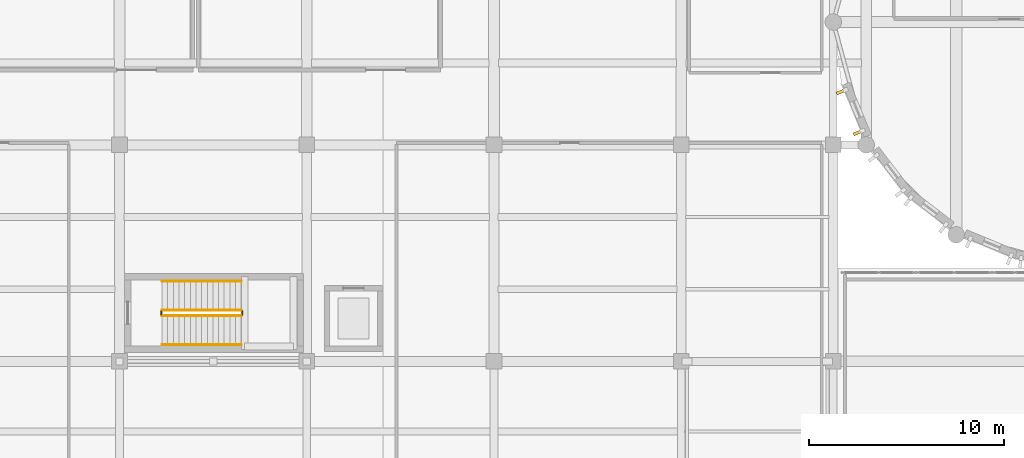
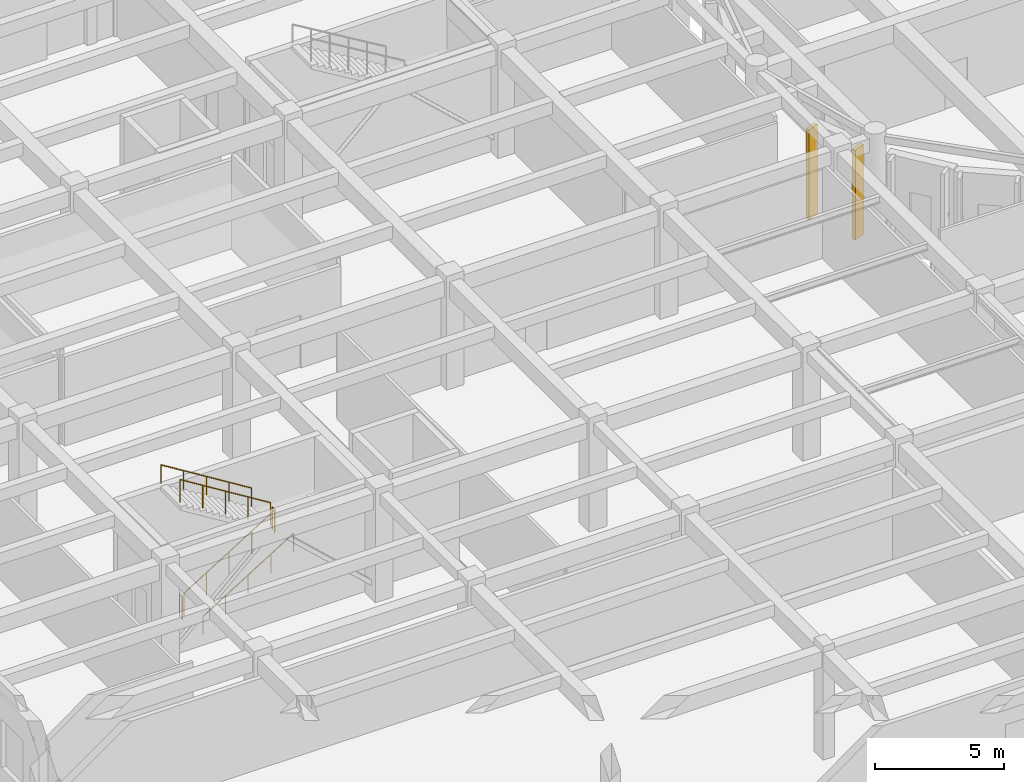
# One storey, part 88 of 98: 6 railings, 2 coverings.
"""IFC4 building model written with IfcOpenShell, lengths in metres."""

from ifc_helpers import new_model, si_unit, direction, frame, origin, origin_2d, place, context, subcontext, project, spatial, rectangle, circle, extrude, material, layer, layer_set, type_object, element, save


model = new_model("IFC4")

# Units and contexts
model_context = context("Model", 3, precision=1e-05, world=origin(), true_north=direction((0.0, 1.0)))
body_context = subcontext(model_context, "Body", "Model", "MODEL_VIEW")
ifc_project = project(units=[si_unit("LENGTHUNIT", "METRE"), si_unit("AREAUNIT", "SQUARE_METRE"), si_unit("VOLUMEUNIT", "CUBIC_METRE"), si_unit("PLANEANGLEUNIT", "RADIAN"), si_unit("MASSUNIT", "GRAM", prefix="KILO")], contexts=[model_context])

# Site, building, storey
site_placement = place(None, origin())
site = spatial("IfcSite", under=ifc_project, at=site_placement, CompositionType="ELEMENT")
building_placement = place(site_placement, origin())
building = spatial("IfcBuilding", under=site, at=building_placement, Name="Tarnavel Promenade Courthouse", CompositionType="ELEMENT")
storey_placement = place(building_placement, origin())
storey = spatial("IfcBuildingStorey", under=building, at=storey_placement, Name="L01", CompositionType="ELEMENT", Elevation=0.0)

# Railings
ifc_material_1 = material(Name="Brushed Bronze Tubular Stair Handrail")
railing_type_1 = type_object("IfcRailingType", Name="Brushed Bronze Tubular Stair Handrail (RL-HND-0900)", PredefinedType="HANDRAIL", material=ifc_material_1)
railing_1_placement = place(storey_placement, frame((11.780029296875, 75.25, 0.179931640625)))
element("IfcRailing", 1, at=railing_1_placement, inside=storey, type_object=railing_type_1, Name="L01 ST-04 stair handrail 1", PredefinedType="HANDRAIL", context=body_context, shape_type="SweptSolid", body=[
    extrude(circle(Radius=0.02392578125, at=origin_2d()), frame((0.0, 0.0, 0.8759765625), z_axis=(0.849641744969, 0.0, 0.527360318194), x_axis=(0.0, 1.0, 0.0)), (0.0, 0.0, 1.0), 4.778564453125),
    extrude(circle(Radius=0.02099609375, at=origin_2d()), origin(), (0.0, 0.0, 1.0), 0.851806640625),
    extrude(circle(Radius=0.02099609375, at=origin_2d()), frame((1.01513671875, 0.0, 0.6298828125)), (0.0, 0.0, 1.0), 0.851806640625),
    extrude(circle(Radius=0.02099609375, at=origin_2d()), frame((2.030029296875, 0.0, 1.260009765625)), (0.0, 0.0, 1.0), 0.851806640625),
    extrude(circle(Radius=0.02099609375, at=origin_2d()), frame((3.044921875, 0.0, 1.89013671875)), (0.0, 0.0, 1.0), 0.851806640625),
    extrude(circle(Radius=0.02099609375, at=origin_2d()), frame((4.06005859375, 0.0, 2.52001953125)), (0.0, 0.0, 1.0), 0.851806640625),
])
railing_2_placement = place(storey_placement, frame((15.840087890625, 78.510009765625, 2.8798828125)))
element("IfcRailing", 2, at=railing_2_placement, inside=storey, type_object=railing_type_1, Name="L01 ST-04 stair handrail 2", PredefinedType="HANDRAIL", context=body_context, shape_type="SweptSolid", body=[
    extrude(circle(Radius=0.02392578125, at=origin_2d()), frame((0.0, 0.0, 0.8759765625), z_axis=(-0.849641744969, 0.0, 0.527360318194), x_axis=(0.0, -1.0, 0.0)), (0.0, 0.0, 1.0), 4.778564453125),
    extrude(circle(Radius=0.02099609375, at=origin_2d()), origin(), (0.0, 0.0, 1.0), 0.851806640625),
    extrude(circle(Radius=0.02099609375, at=origin_2d()), frame((-1.01513671875, 0.0, 0.6298828125)), (0.0, 0.0, 1.0), 0.851806640625),
    extrude(circle(Radius=0.02099609375, at=origin_2d()), frame((-2.030029296875, 0.0, 1.260009765625)), (0.0, 0.0, 1.0), 0.851806640625),
    extrude(circle(Radius=0.02099609375, at=origin_2d()), frame((-3.044921875, 0.0, 1.89013671875)), (0.0, 0.0, 1.0), 0.851806640625),
    extrude(circle(Radius=0.02099609375, at=origin_2d()), frame((-4.06005859375, 0.0, 2.52001953125)), (0.0, 0.0, 1.0), 0.851806640625),
])
ifc_material_2 = material(Name="Painted Architectural Steel Core Stair Guardrail", Category="steel")
railing_type_2 = type_object("IfcRailingType", Name="Painted Architectural Steel Core Stair Guardrail (RL-GRD-1100)", PredefinedType="GUARDRAIL", material=ifc_material_2)
railing_3_placement = place(storey_placement, frame((11.780029296875, 76.72998046875, 0.179931640625)))
element("IfcRailing", 3, at=railing_3_placement, inside=storey, type_object=railing_type_2, Name="L01 ST-04 stair guard 1", PredefinedType="GUARDRAIL", context=body_context, shape_type="SweptSolid", body=[
    extrude(circle(Radius=0.02392578125, at=origin_2d()), frame((0.0, 0.0, 1.076171875), z_axis=(0.849641744969, 0.0, 0.527360318194), x_axis=(0.0, 1.0, 0.0)), (0.0, 0.0, 1.0), 4.778564453125),
    extrude(circle(Radius=0.02099609375, at=origin_2d()), origin(), (0.0, 0.0, 1.0), 1.052001953125),
    extrude(circle(Radius=0.02099609375, at=origin_2d()), frame((1.01513671875, 0.0, 0.6298828125)), (0.0, 0.0, 1.0), 1.052001953125),
    extrude(circle(Radius=0.02099609375, at=origin_2d()), frame((2.030029296875, 0.0, 1.260009765625)), (0.0, 0.0, 1.0), 1.052001953125),
    extrude(circle(Radius=0.02099609375, at=origin_2d()), frame((3.044921875, 0.0, 1.89013671875)), (0.0, 0.0, 1.0), 1.052001953125),
    extrude(circle(Radius=0.02099609375, at=origin_2d()), frame((4.06005859375, 0.0, 2.52001953125)), (0.0, 0.0, 1.0), 1.052001953125),
])
railing_4_placement = place(storey_placement, frame((15.889892578125, 76.780029296875, 2.699951171875)))
element("IfcRailing", 4, at=railing_4_placement, inside=storey, type_object=railing_type_2, Name="L01 ST-04 stair guard 2", PredefinedType="GUARDRAIL", context=body_context, shape_type="SweptSolid", body=[
    extrude(circle(Radius=0.02392578125, at=origin_2d()), frame((0.0, 0.0, 1.076171875), z_axis=(0.0, 1.0, 0.0), x_axis=(-1.0, 0.0, 0.0)), (0.0, 0.0, 1.0), 0.199951171875),
    extrude(circle(Radius=0.02099609375, at=origin_2d()), origin(), (0.0, 0.0, 1.0), 1.052001953125),
    extrude(circle(Radius=0.02099609375, at=origin_2d()), frame((0.0, 0.199951171875, 0.0)), (0.0, 0.0, 1.0), 1.052001953125),
])
railing_5_placement = place(storey_placement, frame((15.840087890625, 77.030029296875, 2.8798828125)))
element("IfcRailing", 5, at=railing_5_placement, inside=storey, type_object=railing_type_2, Name="L01 ST-04 stair guard 3", PredefinedType="GUARDRAIL", context=body_context, shape_type="SweptSolid", body=[
    extrude(circle(Radius=0.02392578125, at=origin_2d()), frame((0.0, 0.0, 1.076171875), z_axis=(-0.849641744969, 0.0, 0.527360318194), x_axis=(0.0, -1.0, 0.0)), (0.0, 0.0, 1.0), 4.778564453125),
    extrude(circle(Radius=0.02099609375, at=origin_2d()), origin(), (0.0, 0.0, 1.0), 1.052001953125),
    extrude(circle(Radius=0.02099609375, at=origin_2d()), frame((-1.01513671875, 0.0, 0.6298828125)), (0.0, 0.0, 1.0), 1.052001953125),
    extrude(circle(Radius=0.02099609375, at=origin_2d()), frame((-2.030029296875, 0.0, 1.260009765625)), (0.0, 0.0, 1.0), 1.052001953125),
    extrude(circle(Radius=0.02099609375, at=origin_2d()), frame((-3.044921875, 0.0, 1.89013671875)), (0.0, 0.0, 1.0), 1.052001953125),
    extrude(circle(Radius=0.02099609375, at=origin_2d()), frame((-4.06005859375, 0.0, 2.52001953125)), (0.0, 0.0, 1.0), 1.052001953125),
])
railing_6_placement = place(storey_placement, frame((11.72998046875, 76.780029296875, 0.0)))
element("IfcRailing", 6, at=railing_6_placement, inside=storey, type_object=railing_type_2, Name="L01 ST-04 stair guard 4", PredefinedType="GUARDRAIL", context=body_context, shape_type="SweptSolid", body=[
    extrude(circle(Radius=0.02392578125, at=origin_2d()), frame((0.0, 0.0, 1.076171875), z_axis=(0.0, 1.0, 0.0), x_axis=(-1.0, 0.0, 0.0)), (0.0, 0.0, 1.0), 0.199951171875),
    extrude(circle(Radius=0.02099609375, at=origin_2d()), origin(), (0.0, 0.0, 1.0), 1.052001953125),
    extrude(circle(Radius=0.02099609375, at=origin_2d()), frame((0.0, 0.199951171875, 0.0)), (0.0, 0.0, 1.0), 1.052001953125),
])

# Coverings
ifc_material_3 = material(Name="Patinated Copper-Bronze Fluted Pier Cladding")
ifc_layer = layer(ifc_material_3, 0.52001953125)
ifc_layer_set = layer_set([ifc_layer], Name="Patinated Copper-Bronze Fluted Pier Cladding")
covering_type = type_object("IfcCoveringType", Name="Patinated Copper-Bronze Fluted Pier Cladding COV-PIER-520 (520 mm)", PredefinedType="CLADDING", material=ifc_layer_set)
for number, where, z_axis, x_axis, name in (
    (7, (46.607177734375, 88.2265625, 0.0), (0.0, 0.0, 1.0), (0.382683432365, -0.923879532511, 0.0), "L01 W Drum Fluted Copper Pier 0011"),
    (8, (47.4736328125, 86.134765625, 0.0), (0.0, 0.0, 1.0), (0.382683432365, -0.923879532511, 0.0), "L01 W Drum Fluted Copper Pier 0012"),
):
    element("IfcCovering", number, at=place(storey_placement, frame(where, z_axis=z_axis, x_axis=x_axis)), inside=storey, type_object=covering_type, Name=name, PredefinedType="CLADDING", context=body_context, shape_type="SweptSolid", body=[
        extrude(rectangle(XDim=0.159912109375, YDim=0.52001953125, at=origin_2d()), origin(), (0.0, 0.0, 1.0), 4.27001953125),
    ])

save(model, "model.ifc")
